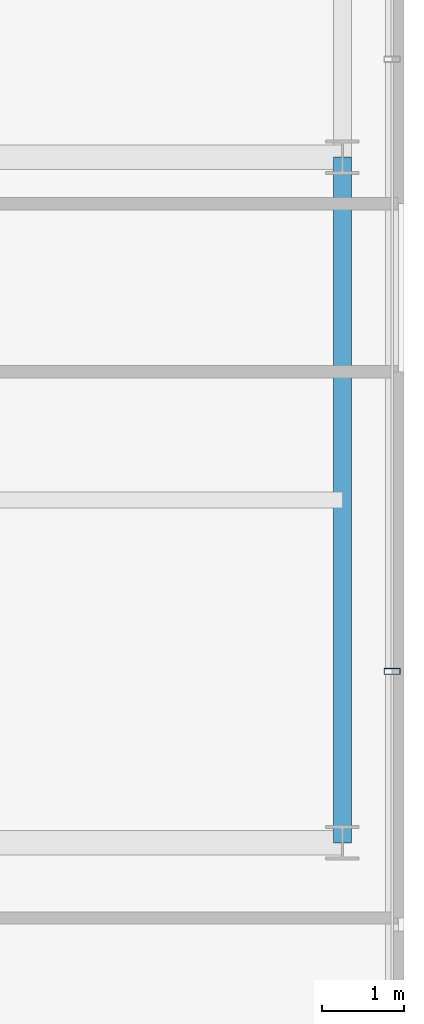
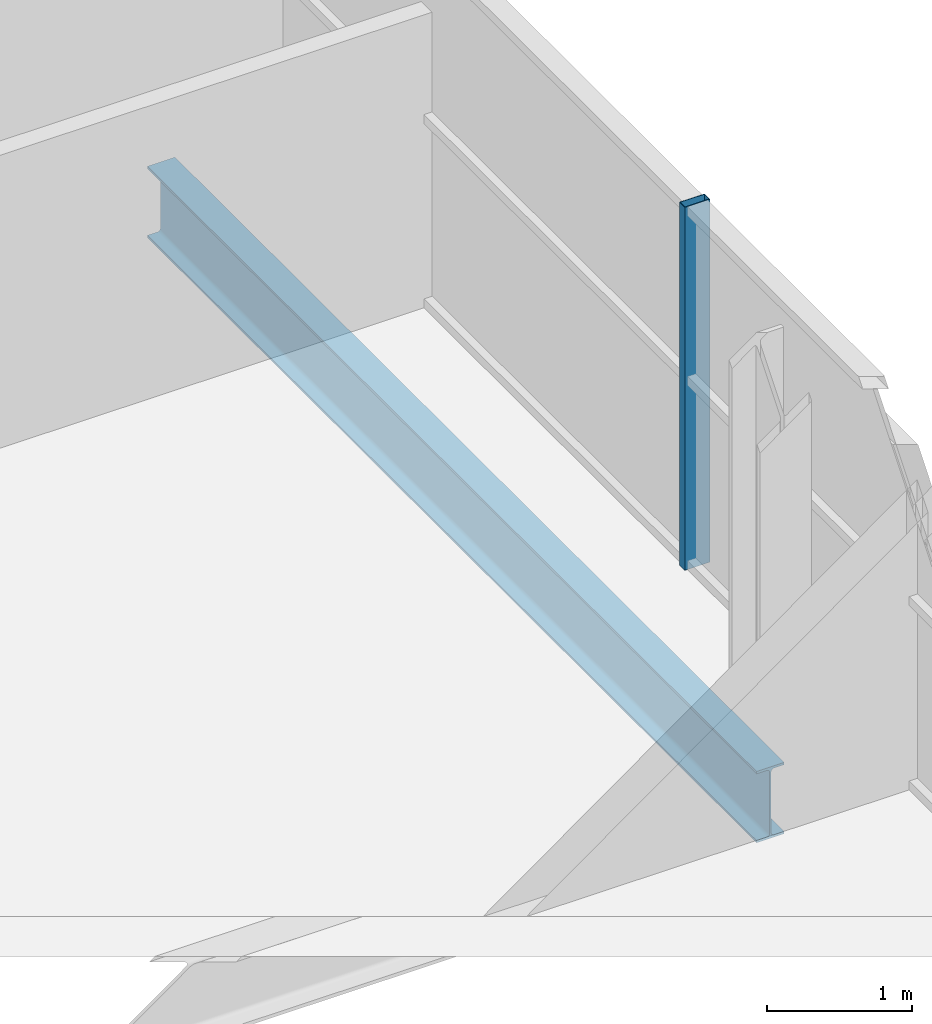
# One storey, part 13 of 30: 1 beam, 1 member, 1 element without a shape of its own.
"""IFC4 building model written with IfcOpenShell, lengths in metres."""

import ifcopenshell
import ifcopenshell.guid

model = None  # the IFC model being written
_history = None  # IfcOwnerHistory: only IFC2X3 demands one
_inside = {}  # id of a spatial element -> (the spatial element, [elements in it])
_under = {}  # id of a project, library or spatial element -> (it, [spatial elements below it])
_declared = {}  # id of a project -> (the project, [libraries it declares])
_typed = {}  # id of a type object -> (the type object, [elements of that type])
_made_of = {}  # id of a material, layer set ... -> (it, [elements and type objects made of it])


def new_model(schema):
    """Start an empty IFC model of exactly this schema.

    Asked for "IFC4X3", IfcOpenShell would pick the latest addendum, in which some entities
    have other attributes; the version numbers below select the first issue.
    IFC2X3 requires an IfcOwnerHistory on every rooted entity: one is made here for all.
    """
    global model, _history
    if schema == "IFC4X3":
        model = ifcopenshell.file(schema_version=(4, 3, 0, 0))
    else:
        model = ifcopenshell.file(schema=schema)
    _inside.clear()
    _under.clear()
    _declared.clear()
    _typed.clear()
    _made_of.clear()
    _history = None
    if model.schema == "IFC2X3":
        org = make("IfcOrganization", Name="unknown")
        user = make(
            "IfcPersonAndOrganization",
            ThePerson=make("IfcPerson", FamilyName="unknown"),
            TheOrganization=org,
        )
        app = make(
            "IfcApplication",
            ApplicationDeveloper=org,
            Version="unknown",
            ApplicationFullName="unknown",
            ApplicationIdentifier="unknown",
        )
        _history = make(
            "IfcOwnerHistory",
            OwningUser=user,
            OwningApplication=app,
            ChangeAction="ADDED",
            CreationDate=0,
        )
    return model


def make(cls, **values):
    """One entity of the class cls with the attributes given. An attribute that is None is left unset."""
    return model.create_entity(
        cls, **{name: value for name, value in values.items() if value is not None}
    )


def rooted(cls, **values):
    """An entity with a GlobalId (a new one), such as an element, a storey or a relation."""
    return make(cls, GlobalId=ifcopenshell.guid.new(), OwnerHistory=_history, **values)


def si_unit(unit_type, name, prefix=None):
    """IfcSIUnit, for example si_unit("LENGTHUNIT", "METRE", prefix="MILLI")."""
    return make("IfcSIUnit", UnitType=unit_type, Prefix=prefix, Name=name)


def assignment(units):
    """IfcUnitAssignment: the units of a project."""
    return None if units is None else make("IfcUnitAssignment", Units=units)


def point(xyz):
    """IfcCartesianPoint."""
    return None if xyz is None else make("IfcCartesianPoint", Coordinates=xyz)


def direction(xyz):
    """IfcDirection."""
    return None if xyz is None else make("IfcDirection", DirectionRatios=xyz)


def frame(location, z_axis=None, x_axis=None):
    """IfcAxis2Placement3D, a coordinate frame: its origin and axes. An axis left out is left unset."""
    return make(
        "IfcAxis2Placement3D",
        Location=point(location),
        Axis=direction(z_axis),
        RefDirection=direction(x_axis),
    )


def frame_2d(location, x_axis=None):
    """IfcAxis2Placement2D, a coordinate frame in the plane: its origin and x axis."""
    return make(
        "IfcAxis2Placement2D", Location=point(location), RefDirection=direction(x_axis)
    )


def origin():
    """The frame at (0, 0, 0) with its axes left unset."""
    return frame((0.0, 0.0, 0.0))


def origin_2d():
    """The frame at (0, 0) in the plane with its x axis left unset."""
    return frame_2d((0.0, 0.0))


def place(relative_to, where):
    """IfcLocalPlacement: puts the frame where relative to a parent placement (None: the world)."""
    return make(
        "IfcLocalPlacement", PlacementRelTo=relative_to, RelativePlacement=where
    )


def context(
    kind, dimensions, precision=None, world=None, true_north=None, identifier=None
):
    """IfcGeometricRepresentationContext, for example the 3D "Model" context."""
    return make(
        "IfcGeometricRepresentationContext",
        ContextIdentifier=identifier,
        ContextType=kind,
        CoordinateSpaceDimension=dimensions,
        Precision=precision,
        WorldCoordinateSystem=world,
        TrueNorth=true_north,
    )


def subcontext(parent, identifier, kind, view, scale=None):
    """IfcGeometricRepresentationSubContext, for example "Body" below "Model"."""
    return make(
        "IfcGeometricRepresentationSubContext",
        ContextIdentifier=identifier,
        ContextType=kind,
        ParentContext=parent,
        TargetScale=scale,
        TargetView=view,
    )


def project(units=None, contexts=None):
    """IfcProject with its units and contexts."""
    return rooted(
        "IfcProject",
        Name="project",
        RepresentationContexts=contexts,
        UnitsInContext=assignment(units),
    )


def spatial(cls, under=None, at=None, **own):
    """A site, building, storey or space (cls), placed at a placement, below another one or the project."""
    s = rooted(cls, ObjectPlacement=at, **own)
    if under is not None:
        _under.setdefault(under.id(), (under, []))[1].append(s)
    return s


def profile(cls, at=None, kind="AREA", **sizes):
    """A parametric profile (cls). Its sizes go by their IFC names, for example OverallWidth=200.0."""
    return make(cls, ProfileType=kind, Position=at, **sizes)


def hollow_rectangle(**sizes):
    """IfcRectangleHollowProfileDef."""
    return profile("IfcRectangleHollowProfileDef", **sizes)


def i_section(**sizes):
    """IfcIShapeProfileDef."""
    return profile("IfcIShapeProfileDef", **sizes)


def extrude(swept, where, along, depth):
    """IfcExtrudedAreaSolid: the profile swept, set in the frame where, extruded along a direction by depth."""
    return make(
        "IfcExtrudedAreaSolid",
        SweptArea=swept,
        Position=where,
        ExtrudedDirection=direction(along),
        Depth=depth,
    )


def shape(context_of_items, identifier, shape_type, items):
    """IfcShapeRepresentation: the items that make up one representation, for example the "Body"."""
    return make(
        "IfcShapeRepresentation",
        ContextOfItems=context_of_items,
        RepresentationIdentifier=identifier,
        RepresentationType=shape_type,
        Items=items,
    )


def source(mapping_origin, context_of_items, identifier, shape_type, items):
    """IfcRepresentationMap: a shape defined once, which mapped items show again and again."""
    return make(
        "IfcRepresentationMap",
        MappingOrigin=mapping_origin,
        MappedRepresentation=shape(context_of_items, identifier, shape_type, items),
    )


def transform(
    local_origin,
    x_axis=None,
    y_axis=None,
    z_axis=None,
    scale=None,
    scale2=None,
    scale3=None,
    uniform=True,
):
    """IfcCartesianTransformationOperator3D, or its non-uniform kind. x_axis, y_axis, z_axis: its Axis1, 2, 3."""
    if uniform:
        return make(
            "IfcCartesianTransformationOperator3D",
            Axis1=direction(x_axis),
            Axis2=direction(y_axis),
            LocalOrigin=point(local_origin),
            Scale=scale,
            Axis3=direction(z_axis),
        )
    return make(
        "IfcCartesianTransformationOperator3DnonUniform",
        Axis1=direction(x_axis),
        Axis2=direction(y_axis),
        LocalOrigin=point(local_origin),
        Scale=scale,
        Axis3=direction(z_axis),
        Scale2=scale2,
        Scale3=scale3,
    )


def mapped(mapping_source, mapping_target):
    """IfcMappedItem: shows the shape of a source again, moved by a transform."""
    return make(
        "IfcMappedItem", MappingSource=mapping_source, MappingTarget=mapping_target
    )


def material(Name=None, Category=None):
    """IfcMaterial."""
    return make("IfcMaterial", Name=Name, Category=Category)


def layer(
    of_material, thickness, ventilated=None, Name=None, Category=None, Priority=None
):
    """IfcMaterialLayer: one layer of a wall or slab, of a material (None: an air gap)."""
    return make(
        "IfcMaterialLayer",
        Material=of_material,
        LayerThickness=thickness,
        IsVentilated=ventilated,
        Name=Name,
        Category=Category,
        Priority=Priority,
    )


def layer_set(layers, Name=None):
    """IfcMaterialLayerSet."""
    return make("IfcMaterialLayerSet", MaterialLayers=layers, LayerSetName=Name)


def material_profile(
    of_material, cross_section, Name=None, Category=None, Priority=None
):
    """IfcMaterialProfile: a cross section and its material."""
    return make(
        "IfcMaterialProfile",
        Name=Name,
        Material=of_material,
        Profile=cross_section,
        Priority=Priority,
        Category=Category,
    )


def profile_set(profiles, Name=None, composite=None):
    """IfcMaterialProfileSet."""
    return make(
        "IfcMaterialProfileSet",
        Name=Name,
        MaterialProfiles=profiles,
        CompositeProfile=composite,
    )


def made_of(thing, what):
    """Note that an element or type object is made of a material, layer set ...; save() writes the relation."""
    if what is not None:
        _made_of.setdefault(what.id(), (what, []))[1].append(thing)
    return thing


def type_object(cls, material=None, **own):
    """A type object (cls), such as IfcWallType, which elements share."""
    return made_of(rooted(cls, **own), material)


def element(
    cls,
    number,
    at=None,
    inside=None,
    cuts=None,
    type_object=None,
    material=None,
    context=None,
    identifier="Body",
    shape_type=None,
    held_by="IfcProductDefinitionShape",
    body=None,
    shapes=None,
    **own,
):
    """One element of the class cls, such as IfcWall. Its Tag is "e" and its number.

    at: its placement. inside: the storey or other place that contains it. cuts: it is an
    opening in that element (IfcRelVoidsElement). A single representation is given by context,
    identifier, shape_type and body (its items); several are given by shapes. held_by: the class
    of the entity that holds the representations. save() writes the other relations.
    """
    e = rooted(cls, Tag="e%d" % number, ObjectPlacement=at, **own)
    if body is not None:
        shapes = [shape(context, identifier, shape_type, body)]
    if shapes is not None:
        e.Representation = make(held_by, Representations=shapes)
    if inside is not None:
        _inside.setdefault(inside.id(), (inside, []))[1].append(e)
    if cuts is not None:
        rooted(
            "IfcRelVoidsElement", RelatingBuildingElement=cuts, RelatedOpeningElement=e
        )
    if type_object is not None:
        _typed.setdefault(type_object.id(), (type_object, []))[1].append(e)
    return made_of(e, material)


def aggregate(whole, parts):
    """IfcRelAggregates: a whole, such as a stair, and the parts it consists of."""
    return rooted("IfcRelAggregates", RelatingObject=whole, RelatedObjects=parts)


def save(model, path):
    """Write the relations noted so far, then the file.

    IfcRelAggregates (storeys below a building ...), IfcRelContainedInSpatialStructure (elements
    in a storey), IfcRelDefinesByType, IfcRelAssociatesMaterial and IfcRelDeclares: one each for
    every whole, place, type object, material and project.
    """
    for whole, parts in _under.values():
        aggregate(whole, parts)
    for where, things in _inside.values():
        rooted(
            "IfcRelContainedInSpatialStructure",
            RelatedElements=things,
            RelatingStructure=where,
        )
    for kind, things in _typed.values():
        rooted("IfcRelDefinesByType", RelatedObjects=things, RelatingType=kind)
    for what, things in _made_of.values():
        rooted("IfcRelAssociatesMaterial", RelatedObjects=things, RelatingMaterial=what)
    for by, libraries in _declared.values():
        rooted("IfcRelDeclares", RelatingContext=by, RelatedDefinitions=libraries)
    model.write(path)


model = new_model("IFC4")

# Units and contexts
model_context = context("Model", 3, precision=1e-05, world=origin(), true_north=direction((0.0, 1.0)))
body_context = subcontext(model_context, "Body", "Model", "MODEL_VIEW")
ifc_project = project(units=[si_unit("LENGTHUNIT", "METRE"), si_unit("AREAUNIT", "SQUARE_METRE"), si_unit("VOLUMEUNIT", "CUBIC_METRE"), si_unit("PLANEANGLEUNIT", "RADIAN"), si_unit("MASSUNIT", "GRAM", prefix="KILO")], contexts=[model_context])

# Site, building, storey
site_placement = place(None, origin())
site = spatial("IfcSite", under=ifc_project, at=site_placement, CompositionType="ELEMENT")
building_placement = place(site_placement, origin())
building = spatial("IfcBuilding", under=site, at=building_placement, Name="Zarnakvel Exchange Tower", CompositionType="ELEMENT")
storey_placement = place(building_placement, frame((0.0, 0.0, 40.60009765625)))
storey = spatial("IfcBuildingStorey", under=building, at=storey_placement, Name="L10", CompositionType="ELEMENT", Elevation=40.60009765625)

# Beam
ifc_material_1 = material(Name="Steel S355", Category="steel")
ifc_material_profile_1 = material_profile(ifc_material_1, i_section(OverallWidth=0.219970703125, OverallDepth=0.60009765625, WebThickness=0.011962890625, FlangeThickness=0.01904296875, FilletRadius=0.02392578125, at=origin_2d()))
ifc_profile_set_1 = profile_set([ifc_material_profile_1], Name="Steel S355")
beam_type = type_object("IfcBeamType", Name="SP-01", PredefinedType="SPANDREL", material=ifc_profile_set_1)
beam_placement = place(storey_placement, frame((27.85009765625, -9.60009765625, -0.525146484375), z_axis=(0.0, 1.0, 0.0), x_axis=(-1.0, 0.0, 0.0)))
element("IfcBeam", 1, at=beam_placement, inside=storey, type_object=beam_type, Name="L10 Tower N-S Frame Beam", PredefinedType="SPANDREL", context=body_context, shape_type="SweptSolid", body=[
    extrude(i_section(OverallWidth=0.219970703125, OverallDepth=0.60009765625, WebThickness=0.011962890625, FlangeThickness=0.01904296875, FilletRadius=0.02392578125, at=origin_2d()), origin(), (0.0, 0.0, 1.0), 8.400146484375),
])

# Curtain wall, member
ifc_material_2 = material(Name="Architectural Bronze Anodised Aluminium", Category="aluminium")
ifc_layer = layer(ifc_material_2, 0.199951171875)
ifc_layer_set = layer_set([ifc_layer], Name="Architectural Bronze Anodised Aluminium")
curtain_wall_type = type_object("IfcCurtainWallType", Name="CW-04", PredefinedType="NOTDEFINED", material=ifc_layer_set)
curtain_wall_placement = place(storey_placement, origin())
curtain_wall = element("IfcCurtainWall", 2, at=curtain_wall_placement, inside=storey, type_object=curtain_wall_type, Name="L10 Curtain Wall CW-L10-E1 (CW-04)", PredefinedType="NOTDEFINED")
ifc_material_profile_2 = material_profile(ifc_material_2, hollow_rectangle(XDim=0.199951171875, YDim=0.074951171875, WallThickness=0.0048828125, at=origin_2d()))
ifc_profile_set_2 = profile_set([ifc_material_profile_2], Name="Architectural Bronze Anodised Aluminium")
member_type = type_object("IfcMemberType", Name="CWM-04", PredefinedType="MULLION", material=ifc_profile_set_2)
shared_shape = source(origin(), body_context, "Body", "SweptSolid", [
    extrude(hollow_rectangle(XDim=0.199951171875, YDim=0.074951171875, WallThickness=0.0048828125, at=origin_2d()), origin(), (0.0, 0.0, 1.0), 3.054931640625),
])
member_placement = place(storey_placement, frame((28.4599609375, -7.5, 0.0), z_axis=(0.0, 0.0, 1.0), x_axis=(-1.0, 0.0, 0.0)))
member = element("IfcMember", 3, at=member_placement, type_object=member_type, Name="CW-04 mullion 2", PredefinedType="MULLION", context=body_context, shape_type="MappedRepresentation", body=[
    mapped(shared_shape, transform((0.0, 0.0, 0.0), x_axis=(1.0, 0.0, 0.0), y_axis=(0.0, 1.0, 0.0), z_axis=(0.0, 0.0, 1.0), scale=1.0)),
])
aggregate(curtain_wall, [member])

save(model, "model.ifc")
